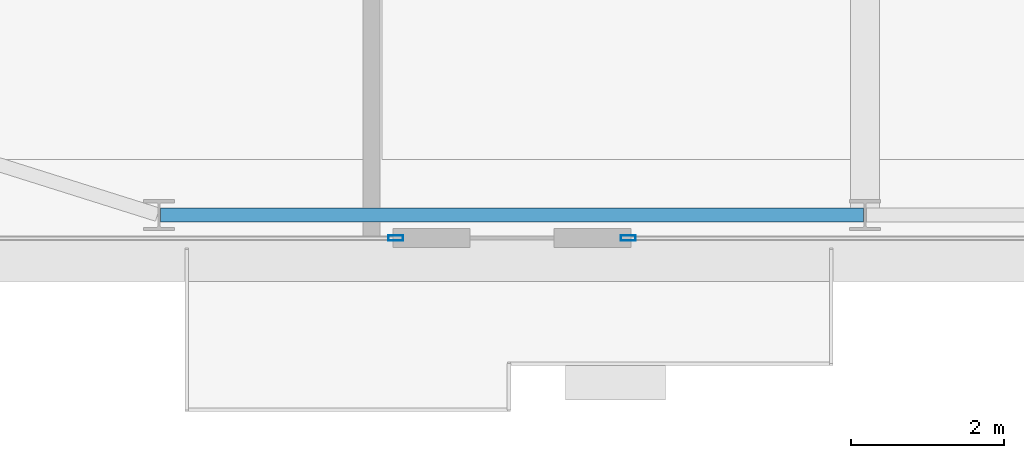
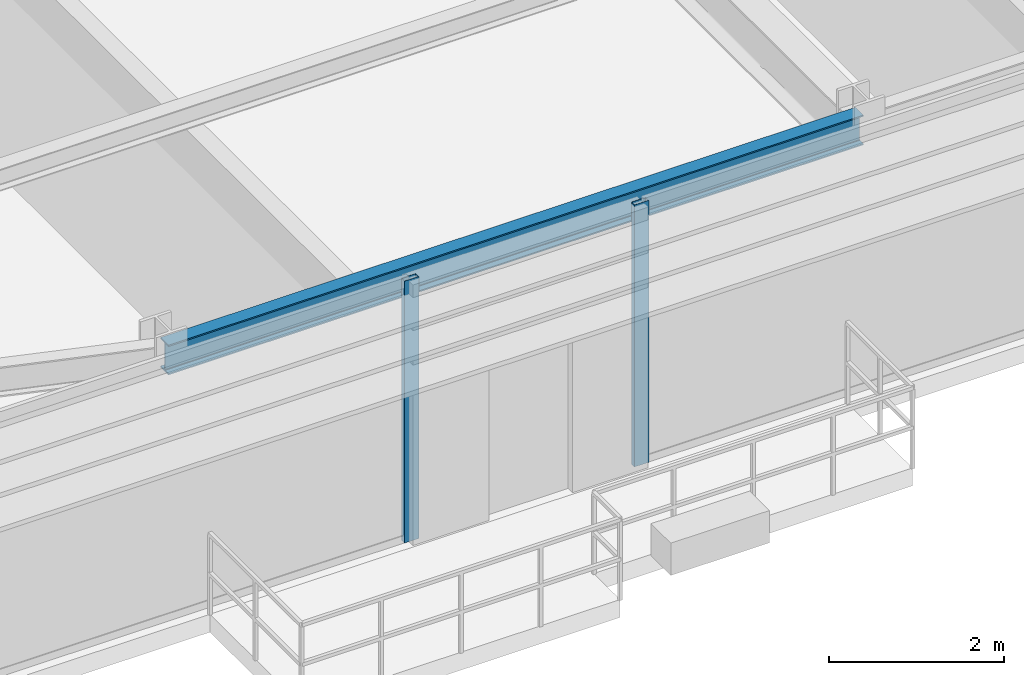
# One storey, part 5 of 29: 2 members, 1 beam, 2 elements without a shape of their own.
"""IFC4 building model written with IfcOpenShell, lengths in metres."""

from ifc_helpers import new_model, si_unit, direction, frame, origin, origin_2d, place, context, subcontext, project, spatial, hollow_rectangle, i_section, extrude, source, transform, mapped, material, layer, layer_set, material_profile, profile_set, type_object, type_shapes, element, aggregate, save


model = new_model("IFC4")

# Units and contexts
model_context = context("Model", 3, precision=1e-05, world=origin(), true_north=direction((0.0, 1.0)))
body_context = subcontext(model_context, "Body", "Model", "MODEL_VIEW")
ifc_project = project(units=[si_unit("LENGTHUNIT", "METRE"), si_unit("AREAUNIT", "SQUARE_METRE"), si_unit("VOLUMEUNIT", "CUBIC_METRE"), si_unit("PLANEANGLEUNIT", "RADIAN"), si_unit("MASSUNIT", "GRAM", prefix="KILO")], contexts=[model_context])

# Site, building, storey
site_placement = place(None, origin())
site = spatial("IfcSite", under=ifc_project, at=site_placement, CompositionType="ELEMENT")
building_placement = place(site_placement, origin())
building = spatial("IfcBuilding", under=site, at=building_placement, Name="Varnel Quay Broadcast Tower", CompositionType="ELEMENT")
storey_placement = place(building_placement, frame((0.0, 0.0, 74.39990234375)))
storey = spatial("IfcBuildingStorey", under=building, at=storey_placement, Name="L17", CompositionType="ELEMENT", Elevation=74.39990234375)

# Beam
ifc_material_1 = material(Name="Structural Steel CSA G40.21 350W", Category="steel")
ifc_material_profile_1 = material_profile(ifc_material_1, i_section(OverallWidth=0.180908203125, OverallDepth=0.4169921875, WebThickness=0.010986328125, FlangeThickness=0.018310546875, FilletRadius=0.011962890625, at=origin_2d()), Name="W410X85")
ifc_profile_set_1 = profile_set([ifc_material_profile_1], Name="Structural Steel CSA G40.21 350W")
beam_type = type_object("IfcBeamType", Name="Beam_W410X85", PredefinedType="SPANDREL", material=ifc_profile_set_1)
shared_shape_1 = source(origin(), body_context, "Body", "SweptSolid", [
    extrude(i_section(OverallWidth=0.180908203125, OverallDepth=0.4169921875, WebThickness=0.010986328125, FlangeThickness=0.018310546875, FilletRadius=0.011962890625, at=origin_2d()), origin(), (0.0, 0.0, 1.0), 9.159912109375),
])
type_shapes(beam_type, [shared_shape_1])
beam_placement = place(storey_placement, frame((15.6201171875, 1.64990234375, 3.441650390625), z_axis=(1.0, 0.0, 0.0), x_axis=(0.0, 1.0, 0.0)))
element("IfcBeam", 1, at=beam_placement, inside=storey, type_object=beam_type, Name="L17 South Spandrel TC-S1-TC-S2", PredefinedType="SPANDREL", context=body_context, shape_type="MappedRepresentation", body=[
    mapped(shared_shape_1, transform((0.0, 0.0, 0.0), x_axis=(1.0, 0.0, 0.0), y_axis=(0.0, 1.0, 0.0), z_axis=(0.0, 0.0, 1.0), scale=1.0)),
])

# Curtain wall, member
ifc_material_2 = material(Name="Anodised Bronze Aluminium 6063-T6", Category="aluminium")
ifc_layer = layer(ifc_material_2, 0.18994140625, Name="Anodised Bronze Aluminium 6063-T6")
ifc_layer_set = layer_set([ifc_layer], Name="Anodised Bronze Aluminium 6063-T6")
curtain_wall_type = type_object("IfcCurtainWallType", Name="CW_LowerTower", PredefinedType="NOTDEFINED", material=ifc_layer_set)
curtain_wall_1_placement = place(storey_placement, origin())
curtain_wall_1 = element("IfcCurtainWall", 2, at=curtain_wall_1_placement, inside=storey, type_object=curtain_wall_type, Name="L17 South Unitised Curtain Wall 1", PredefinedType="NOTDEFINED")
ifc_material_profile_2 = material_profile(ifc_material_2, hollow_rectangle(XDim=0.070068359375, YDim=0.18994140625, WallThickness=0.00390625, at=origin_2d()), Name="ALU70X190X4")
ifc_profile_set_2 = profile_set([ifc_material_profile_2], Name="Anodised Bronze Aluminium 6063-T6")
member_type = type_object("IfcMemberType", Name="Mull_CWS-02", PredefinedType="MULLION", material=ifc_profile_set_2)
shared_shape_2 = source(origin(), body_context, "Body", "SweptSolid", [
    extrude(hollow_rectangle(XDim=0.070068359375, YDim=0.18994140625, WallThickness=0.00390625, at=origin_2d()), origin(), (0.0, 0.0, 1.0), 3.650146484375),
])
type_shapes(member_type, [shared_shape_2])
member_1_placement = place(storey_placement, frame((18.68505859375, 1.35009765625, 0.0), z_axis=(0.0, 0.0, 1.0), x_axis=(0.0, 1.0, 0.0)))
member_1 = element("IfcMember", 3, at=member_1_placement, type_object=member_type, Name="CWS-02 mullion 2", PredefinedType="MULLION", context=body_context, shape_type="MappedRepresentation", body=[
    mapped(shared_shape_2, transform((0.0, 0.0, 0.0), x_axis=(1.0, 0.0, 0.0), y_axis=(0.0, 1.0, 0.0), z_axis=(0.0, 0.0, 1.0), scale=1.0)),
])
aggregate(curtain_wall_1, [member_1])

curtain_wall_2_placement = place(storey_placement, origin())
curtain_wall_2 = element("IfcCurtainWall", 4, at=curtain_wall_2_placement, inside=storey, type_object=curtain_wall_type, Name="L17 South Unitised Curtain Wall 2", PredefinedType="NOTDEFINED")
member_2_placement = place(storey_placement, frame((21.715087890625, 1.35009765625, 0.0), z_axis=(0.0, 0.0, 1.0), x_axis=(0.0, 1.0, 0.0)))
member_2 = element("IfcMember", 5, at=member_2_placement, type_object=member_type, Name="CWS-02 mullion 1", PredefinedType="MULLION", context=body_context, shape_type="MappedRepresentation", body=[
    mapped(shared_shape_2, transform((0.0, 0.0, 0.0), x_axis=(1.0, 0.0, 0.0), y_axis=(0.0, 1.0, 0.0), z_axis=(0.0, 0.0, 1.0), scale=1.0)),
])
aggregate(curtain_wall_2, [member_2])

save(model, "model.ifc")
